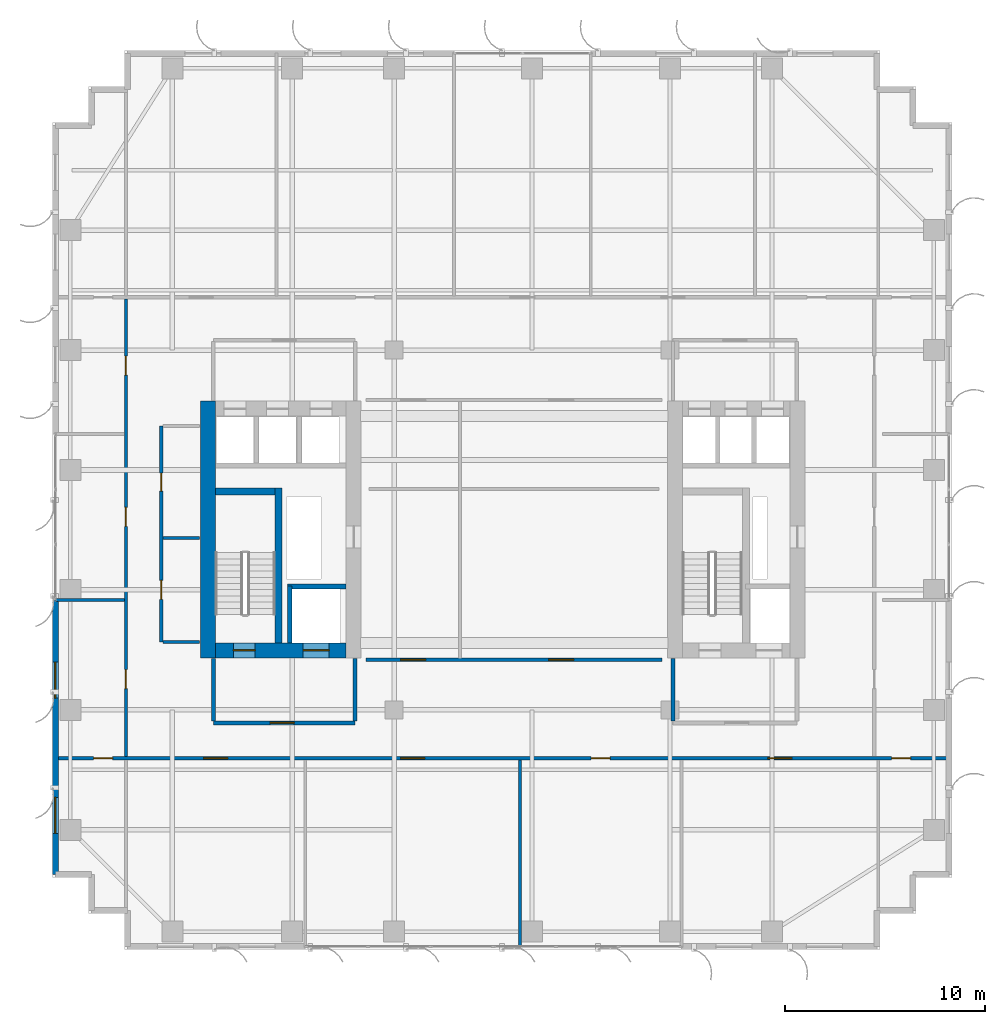
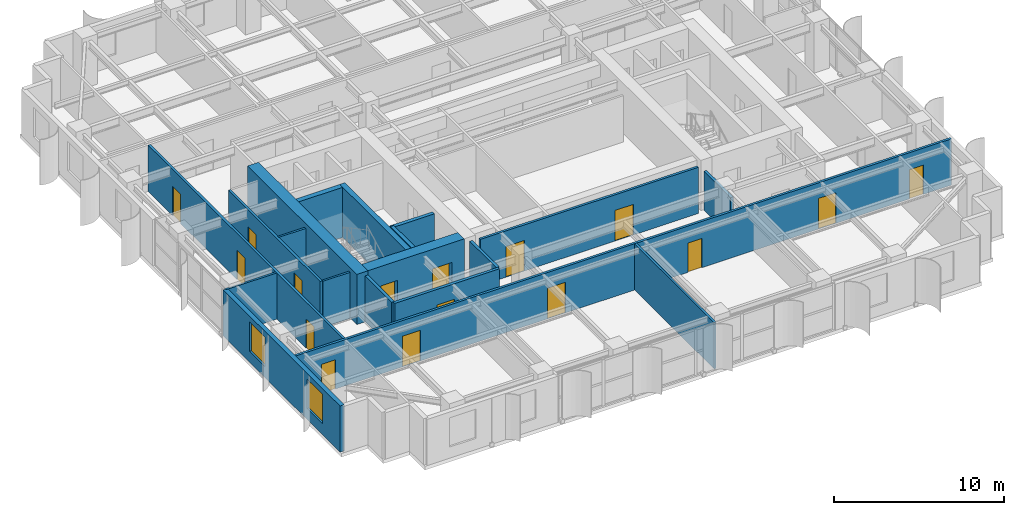
# One storey, part 16 of 22: 19 walls, 16 doors, 2 windows, 18 openings.
"""IFC4 building model written with IfcOpenShell, lengths in metres."""

from ifc_helpers import new_model, si_unit, direction, frame, frame_2d, origin, place, context, subcontext, project, spatial, rectangle, extrude, source, transform, mapped, material, layer, layer_set, type_object, element, fill, save


model = new_model("IFC4")

# Units and contexts
model_context = context("Model", 3, precision=1e-05, world=origin(), true_north=direction((0.0, 1.0)))
body_context = subcontext(model_context, "Body", "Model", "MODEL_VIEW")
ifc_project = project(units=[si_unit("LENGTHUNIT", "METRE"), si_unit("AREAUNIT", "SQUARE_METRE"), si_unit("VOLUMEUNIT", "CUBIC_METRE"), si_unit("PLANEANGLEUNIT", "RADIAN"), si_unit("MASSUNIT", "GRAM", prefix="KILO")], contexts=[model_context])

# Site, building, storey
site_placement = place(None, origin())
site = spatial("IfcSite", under=ifc_project, at=site_placement, CompositionType="ELEMENT")
building_placement = place(site_placement, origin())
building = spatial("IfcBuilding", under=site, at=building_placement, Name="Khoralis Quay Care Tower", CompositionType="ELEMENT")
storey_placement = place(building_placement, frame((0.0, 0.0, 141.300048828125)))
storey = spatial("IfcBuildingStorey", under=building, at=storey_placement, Name="L37", CompositionType="ELEMENT", Elevation=141.300048828125)

# Wall, opening, door
ifc_material_1 = material(Name="Gypsum plasterboard on acoustic metal stud")
ifc_layer_1 = layer(ifc_material_1, 0.199951171875)
ifc_layer_set_1 = layer_set([ifc_layer_1], Name="Gypsum plasterboard on acoustic metal stud")
wall_type_1 = type_object("IfcWallType", Name="WL-COMP-200", PredefinedType="PARTITIONING", material=ifc_layer_set_1)
wall_1_placement = place(storey_placement, frame((8.050048828125, 11.35009765625, 0.0), z_axis=(0.0, 0.0, 1.0), x_axis=(1.0, 0.0, 0.0)))
wall_1 = element("IfcWall", 1, at=wall_1_placement, inside=storey, type_object=wall_type_1, Name="L37 West Firefighting Lobby South Wall", PredefinedType="PARTITIONING", context=body_context, shape_type="SweptSolid", body=[
    extrude(rectangle(XDim=7.099853515625, YDim=0.199951171875, at=frame_2d((3.5498046875, 0.0))), origin(), (0.0, 0.0, 1.0), 3.320068359375),
])
opening_1_placement = place(wall_1_placement, frame((2.846435546875, 0.0, 0.0)))
opening_1 = element("IfcOpeningElement", 2, at=opening_1_placement, cuts=wall_1, Name="Opening FD1", PredefinedType="OPENING", context=body_context, shape_type="SweptSolid", body=[
    extrude(rectangle(XDim=1.199951171875, YDim=2.199951171875, at=frame_2d((0.60009765625, 1.10009765625))), frame((0.0, 0.10986328125, 0.0), z_axis=(0.0, -1.0, 0.0), x_axis=(1.0, 0.0, 0.0)), (0.0, 0.0, 1.0), 0.219970703125),
])
ifc_material_2 = material(Name="Fire-rated painted steel", Category="steel")
door_type_1 = type_object("IfcDoorType", Name="DR-FFL-1200X2200", OperationType="NOTDEFINED", PredefinedType="DOOR", material=ifc_material_2)
shared_shape_1 = source(origin(), body_context, "Body", "SweptSolid", [
    extrude(rectangle(XDim=1.199951171875, YDim=2.199951171875, at=frame_2d((0.60009765625, 1.10009765625))), frame((0.0, 0.02490234375, 0.0), z_axis=(0.0, -1.0, 0.0), x_axis=(1.0, 0.0, 0.0)), (0.0, 0.0, 1.0), 0.050048828125),
])
door_1_placement = place(opening_1_placement, origin())
door_1 = element("IfcDoor", 3, at=door_1_placement, inside=storey, type_object=door_type_1, Name="L37 West Firefighting Lobby Fire Door", OperationType="SINGLE_SWING_LEFT", OverallHeight=2.199951171875, OverallWidth=1.199951171875, PredefinedType="DOOR", context=body_context, shape_type="MappedRepresentation", body=[
    mapped(shared_shape_1, transform((0.0, 0.0, 0.0), scale=1.0)),
])
fill(opening_1, door_1)

# Walls
for number, where, z_axis, x_axis, name in (
    (4, (8.050048828125, 11.445068359375, 0.0), (0.0, 0.0, 1.0), (0.0, 1.0, 0.0), "L37 West Firefighting Lobby West Wall"),
    (5, (15.14990234375, 11.445068359375, 0.0), (0.0, 0.0, 1.0), (0.0, 1.0, 0.0), "L37 West Firefighting Lobby East Wall"),
):
    element("IfcWall", number, at=place(storey_placement, frame(where, z_axis=z_axis, x_axis=x_axis)), inside=storey, type_object=wall_type_1, Name=name, PredefinedType="PARTITIONING", context=body_context, shape_type="SweptSolid", body=[
        extrude(rectangle(XDim=3.135009765625, YDim=0.199951171875, at=frame_2d((1.5673828125, 0.0))), origin(), (0.0, 0.0, 1.0), 3.320068359375),
    ])
wall_2_placement = place(storey_placement, frame((31.050048828125, 11.445068359375, 0.0), z_axis=(0.0, 0.0, 1.0), x_axis=(0.0, 1.0, 0.0)))
element("IfcWall", 6, at=wall_2_placement, inside=storey, type_object=wall_type_1, Name="L37 East Firefighting Lobby West Wall", PredefinedType="PARTITIONING", context=body_context, shape_type="SweptSolid", body=[
    extrude(rectangle(XDim=3.135009765625, YDim=0.199951171875, at=frame_2d((1.5673828125, 0.0))), origin(), (0.0, 0.0, 1.0), 2.77587890625),
])
ifc_material_3 = material(Name="Concrete C80/95", Category="concrete")
ifc_layer_2 = layer(ifc_material_3, 0.75)
ifc_layer_set_2 = layer_set([ifc_layer_2], Name="Concrete C80/95")
wall_type_2 = type_object("IfcWallType", Name="WL-CORE-750", PredefinedType="SHEAR", material=ifc_layer_set_2)
wall_3_placement = place(storey_placement, frame((7.77490234375, 14.60009765625, 0.0), z_axis=(0.0, 0.0, 1.0), x_axis=(0.0, 1.0, 0.0)))
element("IfcWall", 7, at=wall_3_placement, inside=storey, type_object=wall_type_2, Name="L37 WCORE West Shear Wall", PredefinedType="SHEAR", context=body_context, shape_type="SweptSolid", body=[
    extrude(rectangle(XDim=12.849853515625, YDim=0.75, at=frame_2d((6.4248046875, 0.0))), origin(), (0.0, 0.0, 1.0), 3.599853515625),
])

# Wall, openings, doors
wall_4_placement = place(storey_placement, frame((8.14990234375, 14.97509765625, 0.0), z_axis=(0.0, 0.0, 1.0), x_axis=(1.0, 0.0, 0.0)))
wall_4 = element("IfcWall", 8, at=wall_4_placement, inside=storey, type_object=wall_type_2, Name="L37 WCORE South Shear Wall", PredefinedType="SHEAR", context=body_context, shape_type="SweptSolid", body=[
    extrude(rectangle(XDim=6.550048828125, YDim=0.75, at=frame_2d((3.27490234375, 0.0))), origin(), (0.0, 0.0, 1.0), 3.599853515625),
])
opening_2_placement = place(wall_4_placement, frame((0.89990234375, 0.0, 0.0)))
opening_2 = element("IfcOpeningElement", 9, at=opening_2_placement, cuts=wall_4, Name="Opening SD1", PredefinedType="OPENING", context=body_context, shape_type="SweptSolid", body=[
    extrude(rectangle(XDim=1.10009765625, YDim=2.199951171875, at=frame_2d((0.550048828125, 1.10009765625))), frame((0.0, 0.385009765625, 0.0), z_axis=(0.0, -1.0, 0.0), x_axis=(1.0, 0.0, 0.0)), (0.0, 0.0, 1.0), 0.77001953125),
])
opening_3_placement = place(wall_4_placement, frame((4.39990234375, 0.0, 0.0)))
opening_3 = element("IfcOpeningElement", 10, at=opening_3_placement, cuts=wall_4, Name="Opening LD2", PredefinedType="OPENING", context=body_context, shape_type="SweptSolid", body=[
    extrude(rectangle(XDim=1.300048828125, YDim=2.199951171875, at=frame_2d((0.64990234375, 1.10009765625))), frame((0.0, 0.385009765625, 0.0), z_axis=(0.0, -1.0, 0.0), x_axis=(1.0, 0.0, 0.0)), (0.0, 0.0, 1.0), 0.77001953125),
])
door_type_2 = type_object("IfcDoorType", Name="DR-STAIR-1100X2200", OperationType="NOTDEFINED", PredefinedType="DOOR", material=ifc_material_2)
shared_shape_2 = source(origin(), body_context, "Body", "SweptSolid", [
    extrude(rectangle(XDim=1.10009765625, YDim=2.199951171875, at=frame_2d((0.550048828125, 1.10009765625))), frame((0.0, 0.02490234375, 0.0), z_axis=(0.0, -1.0, 0.0), x_axis=(1.0, 0.0, 0.0)), (0.0, 0.0, 1.0), 0.050048828125),
])
door_2_placement = place(opening_2_placement, origin())
door_2 = element("IfcDoor", 11, at=door_2_placement, inside=storey, type_object=door_type_2, Name="L37 Stair ST-T1 Fire Door", OperationType="SINGLE_SWING_LEFT", OverallHeight=2.199951171875, OverallWidth=1.10009765625, PredefinedType="DOOR", context=body_context, shape_type="MappedRepresentation", body=[
    mapped(shared_shape_2, transform((0.0, 0.0, 0.0), scale=1.0)),
])
fill(opening_2, door_2)
ifc_material_4 = material(Name="Brushed stainless steel", Category="steel")
door_type_3 = type_object("IfcDoorType", Name="DR-LIFT-1300X2200", OperationType="SLIDING_TO_RIGHT", PredefinedType="DOOR", material=ifc_material_4)
shared_shape_3 = source(origin(), body_context, "Body", "SweptSolid", [
    extrude(rectangle(XDim=1.300048828125, YDim=2.199951171875, at=frame_2d((0.64990234375, 1.10009765625))), frame((0.0, 0.02490234375, 0.0), z_axis=(0.0, -1.0, 0.0), x_axis=(1.0, 0.0, 0.0)), (0.0, 0.0, 1.0), 0.050048828125),
])
door_3_placement = place(opening_3_placement, origin())
door_3 = element("IfcDoor", 12, at=door_3_placement, inside=storey, type_object=door_type_3, Name="L37 Firefighting Lift FFL-1 Landing Door", OperationType="SLIDING_TO_RIGHT", OverallHeight=2.199951171875, OverallWidth=1.300048828125, PredefinedType="DOOR", context=body_context, shape_type="MappedRepresentation", body=[
    mapped(shared_shape_3, transform((0.0, 0.0, 0.0), scale=1.0)),
])
fill(opening_3, door_3)

ifc_layer_3 = layer(ifc_material_1, 0.1650390625)
ifc_layer_set_3 = layer_set([ifc_layer_3], Name="Gypsum plasterboard on acoustic metal stud")
wall_type_3 = type_object("IfcWallType", Name="WL-CORR-165", PredefinedType="PARTITIONING", material=ifc_layer_set_3)
wall_5_placement = place(storey_placement, frame((5.449951171875, 15.39990234375, 0.0), z_axis=(0.0, 0.0, 1.0), x_axis=(0.0, 1.0, 0.0)))
wall_5 = element("IfcWall", 13, at=wall_5_placement, inside=storey, type_object=wall_type_3, Name="L37 West Core Service Flank Wall", PredefinedType="PARTITIONING", context=body_context, shape_type="SweptSolid", body=[
    extrude(rectangle(XDim=10.800048828125, YDim=0.1650390625, at=frame_2d((5.39990234375, 0.0))), origin(), (0.0, 0.0, 1.0), 3.320068359375),
])
opening_4_placement = place(wall_5_placement, frame((2.125, 0.0, 0.0)))
opening_4 = element("IfcOpeningElement", 14, at=opening_4_placement, cuts=wall_5, Name="Opening ID1", PredefinedType="OPENING", context=body_context, shape_type="SweptSolid", body=[
    extrude(rectangle(XDim=0.949951171875, YDim=2.10009765625, at=frame_2d((0.47509765625, 1.050048828125))), frame((0.0, 0.092529296875, 0.0), z_axis=(0.0, -1.0, 0.0), x_axis=(1.0, 0.0, 0.0)), (0.0, 0.0, 1.0), 0.18505859375),
])
opening_5_placement = place(wall_5_placement, frame((7.550048828125, 0.0, 0.0)))
opening_5 = element("IfcOpeningElement", 15, at=opening_5_placement, cuts=wall_5, Name="Opening WD1", PredefinedType="OPENING", context=body_context, shape_type="SweptSolid", body=[
    extrude(rectangle(XDim=0.89990234375, YDim=2.10009765625, at=frame_2d((0.449951171875, 1.050048828125))), frame((0.0, 0.092529296875, 0.0), z_axis=(0.0, -1.0, 0.0), x_axis=(1.0, 0.0, 0.0)), (0.0, 0.0, 1.0), 0.18505859375),
])
ifc_material_5 = material(Name="Acoustic hardwood timber", Category="wood")
door_type_4 = type_object("IfcDoorType", Name="DR-BATH-900X2100", OperationType="NOTDEFINED", PredefinedType="DOOR", material=ifc_material_5)
shared_shape_4 = source(origin(), body_context, "Body", "SweptSolid", [
    extrude(rectangle(XDim=0.89990234375, YDim=2.10009765625, at=frame_2d((0.449951171875, 1.050048828125))), frame((0.0, 0.02490234375, 0.0), z_axis=(0.0, -1.0, 0.0), x_axis=(1.0, 0.0, 0.0)), (0.0, 0.0, 1.0), 0.050048828125),
])
door_4_placement = place(opening_5_placement, frame((0.89990234375, 0.0, 0.0), z_axis=(0.0, 0.0, 1.0), x_axis=(-1.0, 0.0, 0.0)))
door_4 = element("IfcDoor", 16, at=door_4_placement, inside=storey, type_object=door_type_4, Name="L37 Public Accessible WC Door", OperationType="SINGLE_SWING_LEFT", OverallHeight=2.10009765625, OverallWidth=0.89990234375, PredefinedType="DOOR", context=body_context, shape_type="MappedRepresentation", body=[
    mapped(shared_shape_4, transform((0.0, 0.0, 0.0), scale=1.0)),
])
fill(opening_5, door_4)
door_type_5 = type_object("IfcDoorType", Name="DR-ROOM-950X2100", OperationType="NOTDEFINED", PredefinedType="DOOR", material=ifc_material_5)
shared_shape_5 = source(origin(), body_context, "Body", "SweptSolid", [
    extrude(rectangle(XDim=0.949951171875, YDim=2.10009765625, at=frame_2d((0.47509765625, 1.050048828125))), frame((0.0, 0.02490234375, 0.0), z_axis=(0.0, -1.0, 0.0), x_axis=(1.0, 0.0, 0.0)), (0.0, 0.0, 1.0), 0.050048828125),
])
door_5_placement = place(opening_4_placement, frame((0.949951171875, 0.0, 0.0), z_axis=(0.0, 0.0, 1.0), x_axis=(-1.0, 0.0, 0.0)))
door_5 = element("IfcDoor", 17, at=door_5_placement, inside=storey, type_object=door_type_5, Name="L37 Housekeeping Linen Store Door", OperationType="SINGLE_SWING_RIGHT", OverallHeight=2.10009765625, OverallWidth=0.949951171875, PredefinedType="DOOR", context=body_context, shape_type="MappedRepresentation", body=[
    mapped(shared_shape_5, transform((0.0, 0.0, 0.0), scale=1.0)),
])
fill(opening_4, door_5)

wall_6_placement = place(storey_placement, frame((0.14501953125, 9.580078125, 0.0), z_axis=(0.0, 0.0, 1.0), x_axis=(1.0, 0.0, 0.0)))
wall_6 = element("IfcWall", 18, at=wall_6_placement, inside=storey, type_object=wall_type_3, Name="L37 South Main Corridor Wall", PredefinedType="PARTITIONING", context=body_context, shape_type="SweptSolid", body=[
    extrude(rectangle(XDim=44.7099609375, YDim=0.1650390625, at=frame_2d((22.35498046875, 0.0))), origin(), (0.0, 0.0, 1.0), 3.320068359375),
])
opening_6_placement = place(wall_6_placement, frame((7.419921875, 0.0, 0.0)))
opening_6 = element("IfcOpeningElement", 19, at=opening_6_placement, cuts=wall_6, Name="Opening FD1", PredefinedType="OPENING", context=body_context, shape_type="SweptSolid", body=[
    extrude(rectangle(XDim=1.199951171875, YDim=2.199951171875, at=frame_2d((0.60009765625, 1.10009765625))), frame((0.0, 0.092529296875, 0.0), z_axis=(0.0, -1.0, 0.0), x_axis=(1.0, 0.0, 0.0)), (0.0, 0.0, 1.0), 0.18505859375),
])
opening_7_placement = place(wall_6_placement, frame((17.27490234375, 0.0, 0.0)))
opening_7 = element("IfcOpeningElement", 20, at=opening_7_placement, cuts=wall_6, Name="Opening FD1", PredefinedType="OPENING", context=body_context, shape_type="SweptSolid", body=[
    extrude(rectangle(XDim=1.199951171875, YDim=2.199951171875, at=frame_2d((0.60009765625, 1.10009765625))), frame((0.0, 0.092529296875, 0.0), z_axis=(0.0, -1.0, 0.0), x_axis=(1.0, 0.0, 0.0)), (0.0, 0.0, 1.0), 0.18505859375),
])
opening_8_placement = place(wall_6_placement, frame((26.81005859375, 0.0, 0.0)))
opening_8 = element("IfcOpeningElement", 21, at=opening_8_placement, cuts=wall_6, Name="Opening ID1", PredefinedType="OPENING", context=body_context, shape_type="SweptSolid", body=[
    extrude(rectangle(XDim=0.949951171875, YDim=2.10009765625, at=frame_2d((0.47509765625, 1.050048828125))), frame((0.0, 0.092529296875, 0.0), z_axis=(0.0, -1.0, 0.0), x_axis=(1.0, 0.0, 0.0)), (0.0, 0.0, 1.0), 0.18505859375),
])
opening_9_placement = place(wall_6_placement, frame((35.64990234375, 0.0, 0.0)))
opening_9 = element("IfcOpeningElement", 22, at=opening_9_placement, cuts=wall_6, Name="Opening FD1", PredefinedType="OPENING", context=body_context, shape_type="SweptSolid", body=[
    extrude(rectangle(XDim=1.199951171875, YDim=2.199951171875, at=frame_2d((0.60009765625, 1.10009765625))), frame((0.0, 0.092529296875, 0.0), z_axis=(0.0, -1.0, 0.0), x_axis=(1.0, 0.0, 0.0)), (0.0, 0.0, 1.0), 0.18505859375),
])
opening_10_placement = place(wall_6_placement, frame((1.919921875, 0.0, 0.0)))
opening_10 = element("IfcOpeningElement", 23, at=opening_10_placement, cuts=wall_6, Name="Opening ID1", PredefinedType="OPENING", context=body_context, shape_type="SweptSolid", body=[
    extrude(rectangle(XDim=0.949951171875, YDim=2.10009765625, at=frame_2d((0.47509765625, 1.050048828125))), frame((0.0, 0.092529296875, 0.0), z_axis=(0.0, -1.0, 0.0), x_axis=(1.0, 0.0, 0.0)), (0.0, 0.0, 1.0), 0.18505859375),
])
opening_11_placement = place(wall_6_placement, frame((41.840087890625, 0.0, 0.0)))
opening_11 = element("IfcOpeningElement", 24, at=opening_11_placement, cuts=wall_6, Name="Opening ID1", PredefinedType="OPENING", context=body_context, shape_type="SweptSolid", body=[
    extrude(rectangle(XDim=0.949951171875, YDim=2.10009765625, at=frame_2d((0.47509765625, 1.050048828125))), frame((0.0, 0.092529296875, 0.0), z_axis=(0.0, -1.0, 0.0), x_axis=(1.0, 0.0, 0.0)), (0.0, 0.0, 1.0), 0.18505859375),
])
door_6_placement = place(opening_6_placement, frame((1.199951171875, 0.0, 0.0), z_axis=(0.0, 0.0, 1.0), x_axis=(-1.0, 0.0, 0.0)))
door_6 = element("IfcDoor", 25, at=door_6_placement, inside=storey, type_object=door_type_1, Name="L37 Senior Wellness Pharmacy Shop Door", OperationType="DOUBLE_DOOR_SINGLE_SWING", OverallHeight=2.199951171875, OverallWidth=1.199951171875, PredefinedType="DOOR", context=body_context, shape_type="MappedRepresentation", body=[
    mapped(shared_shape_1, transform((0.0, 0.0, 0.0), scale=1.0)),
])
fill(opening_6, door_6)
door_7_placement = place(opening_7_placement, frame((1.199951171875, 0.0, 0.0), z_axis=(0.0, 0.0, 1.0), x_axis=(-1.0, 0.0, 0.0)))
door_7 = element("IfcDoor", 26, at=door_7_placement, inside=storey, type_object=door_type_1, Name="L37 Senior Wellness Pharmacy Shop Door", OperationType="DOUBLE_DOOR_SINGLE_SWING", OverallHeight=2.199951171875, OverallWidth=1.199951171875, PredefinedType="DOOR", context=body_context, shape_type="MappedRepresentation", body=[
    mapped(shared_shape_1, transform((0.0, 0.0, 0.0), scale=1.0)),
])
fill(opening_7, door_7)
door_8_placement = place(opening_9_placement, frame((1.199951171875, 0.0, 0.0), z_axis=(0.0, 0.0, 1.0), x_axis=(-1.0, 0.0, 0.0)))
door_8 = element("IfcDoor", 27, at=door_8_placement, inside=storey, type_object=door_type_1, Name="L37 Resident Communal Day Lounge Door", OperationType="DOUBLE_DOOR_SINGLE_SWING", OverallHeight=2.199951171875, OverallWidth=1.199951171875, PredefinedType="DOOR", context=body_context, shape_type="MappedRepresentation", body=[
    mapped(shared_shape_1, transform((0.0, 0.0, 0.0), scale=1.0)),
])
fill(opening_9, door_8)
door_9_placement = place(opening_8_placement, frame((0.949951171875, 0.0, 0.0), z_axis=(0.0, 0.0, 1.0), x_axis=(-1.0, 0.0, 0.0)))
door_9 = element("IfcDoor", 28, at=door_9_placement, inside=storey, type_object=door_type_5, Name="L37 Family Case Conference Room Door", OperationType="SINGLE_SWING_RIGHT", OverallHeight=2.10009765625, OverallWidth=0.949951171875, PredefinedType="DOOR", context=body_context, shape_type="MappedRepresentation", body=[
    mapped(shared_shape_5, transform((0.0, 0.0, 0.0), scale=1.0)),
])
fill(opening_8, door_9)
door_10_placement = place(opening_10_placement, frame((0.949951171875, 0.0, 0.0), z_axis=(0.0, 0.0, 1.0), x_axis=(-1.0, 0.0, 0.0)))
door_10 = element("IfcDoor", 29, at=door_10_placement, inside=storey, type_object=door_type_5, Name="L37 SW Corner Door", OperationType="SINGLE_SWING_LEFT", OverallHeight=2.10009765625, OverallWidth=0.949951171875, PredefinedType="DOOR", context=body_context, shape_type="MappedRepresentation", body=[
    mapped(shared_shape_5, transform((0.0, 0.0, 0.0), scale=1.0)),
])
fill(opening_10, door_10)
door_11_placement = place(opening_11_placement, frame((0.949951171875, 0.0, 0.0), z_axis=(0.0, 0.0, 1.0), x_axis=(-1.0, 0.0, 0.0)))
door_11 = element("IfcDoor", 30, at=door_11_placement, inside=storey, type_object=door_type_5, Name="L37 SE Corner Door", OperationType="SINGLE_SWING_RIGHT", OverallHeight=2.10009765625, OverallWidth=0.949951171875, PredefinedType="DOOR", context=body_context, shape_type="MappedRepresentation", body=[
    mapped(shared_shape_5, transform((0.0, 0.0, 0.0), scale=1.0)),
])
fill(opening_11, door_11)

wall_7_placement = place(storey_placement, frame((3.679931640625, 9.657470703125, 0.0), z_axis=(0.0, 0.0, 1.0), x_axis=(0.0, 1.0, 0.0)))
wall_7 = element("IfcWall", 31, at=wall_7_placement, inside=storey, type_object=wall_type_3, Name="L37 West Loop Corridor Wall", PredefinedType="PARTITIONING", context=body_context, shape_type="SweptSolid", body=[
    extrude(rectangle(XDim=22.905029296875, YDim=0.1650390625, at=frame_2d((11.45263671875, 0.0))), origin(), (0.0, 0.0, 1.0), 3.320068359375),
])
opening_12_placement = place(wall_7_placement, frame((3.407470703125, 0.0, 0.0)))
opening_12 = element("IfcOpeningElement", 32, at=opening_12_placement, cuts=wall_7, Name="Opening ID1", PredefinedType="OPENING", context=body_context, shape_type="SweptSolid", body=[
    extrude(rectangle(XDim=0.949951171875, YDim=2.10009765625, at=frame_2d((0.47509765625, 1.050048828125))), frame((0.0, 0.092529296875, 0.0), z_axis=(0.0, -1.0, 0.0), x_axis=(1.0, 0.0, 0.0)), (0.0, 0.0, 1.0), 0.18505859375),
])
opening_13_placement = place(wall_7_placement, frame((11.517578125, 0.0, 0.0)))
opening_13 = element("IfcOpeningElement", 33, at=opening_13_placement, cuts=wall_7, Name="Opening ID1", PredefinedType="OPENING", context=body_context, shape_type="SweptSolid", body=[
    extrude(rectangle(XDim=0.949951171875, YDim=2.10009765625, at=frame_2d((0.47509765625, 1.050048828125))), frame((0.0, 0.092529296875, 0.0), z_axis=(0.0, -1.0, 0.0), x_axis=(1.0, 0.0, 0.0)), (0.0, 0.0, 1.0), 0.18505859375),
])
opening_14_placement = place(wall_7_placement, frame((19.08740234375, 0.0, 0.0)))
opening_14 = element("IfcOpeningElement", 34, at=opening_14_placement, cuts=wall_7, Name="Opening ID1", PredefinedType="OPENING", context=body_context, shape_type="SweptSolid", body=[
    extrude(rectangle(XDim=0.949951171875, YDim=2.10009765625, at=frame_2d((0.47509765625, 1.050048828125))), frame((0.0, 0.092529296875, 0.0), z_axis=(0.0, -1.0, 0.0), x_axis=(1.0, 0.0, 0.0)), (0.0, 0.0, 1.0), 0.18505859375),
])
door_12_placement = place(opening_12_placement, origin())
door_12 = element("IfcDoor", 35, at=door_12_placement, inside=storey, type_object=door_type_5, Name="L37 Therapy Consultation Room Door", OperationType="SINGLE_SWING_LEFT", OverallHeight=2.10009765625, OverallWidth=0.949951171875, PredefinedType="DOOR", context=body_context, shape_type="MappedRepresentation", body=[
    mapped(shared_shape_5, transform((0.0, 0.0, 0.0), scale=1.0)),
])
fill(opening_12, door_12)
door_13_placement = place(opening_13_placement, origin())
door_13 = element("IfcDoor", 36, at=door_13_placement, inside=storey, type_object=door_type_5, Name="L37 Assisted Activity Lounge Door", OperationType="SINGLE_SWING_RIGHT", OverallHeight=2.10009765625, OverallWidth=0.949951171875, PredefinedType="DOOR", context=body_context, shape_type="MappedRepresentation", body=[
    mapped(shared_shape_5, transform((0.0, 0.0, 0.0), scale=1.0)),
])
fill(opening_13, door_13)
door_14_placement = place(opening_14_placement, origin())
door_14 = element("IfcDoor", 37, at=door_14_placement, inside=storey, type_object=door_type_5, Name="L37 Nurse Charting Office Door", OperationType="SINGLE_SWING_LEFT", OverallHeight=2.10009765625, OverallWidth=0.949951171875, PredefinedType="DOOR", context=body_context, shape_type="MappedRepresentation", body=[
    mapped(shared_shape_5, transform((0.0, 0.0, 0.0), scale=1.0)),
])
fill(opening_14, door_14)

wall_8_placement = place(storey_placement, frame((15.699951171875, 14.5, 0.0), z_axis=(0.0, 0.0, 1.0), x_axis=(1.0, 0.0, 0.0)))
wall_8 = element("IfcWall", 38, at=wall_8_placement, inside=storey, type_object=wall_type_3, Name="L37 Central Clinical South Wall", PredefinedType="PARTITIONING", context=body_context, shape_type="SweptSolid", body=[
    extrude(rectangle(XDim=14.800048828125, YDim=0.1650390625, at=frame_2d((7.39990234375, 0.0))), origin(), (0.0, 0.0, 1.0), 3.320068359375),
])
opening_15_placement = place(wall_8_placement, frame((1.72509765625, 0.0, 0.0)))
opening_15 = element("IfcOpeningElement", 39, at=opening_15_placement, cuts=wall_8, Name="Opening CD1", PredefinedType="OPENING", context=body_context, shape_type="SweptSolid", body=[
    extrude(rectangle(XDim=1.25, YDim=2.199951171875, at=frame_2d((0.625, 1.10009765625))), frame((0.0, 0.092529296875, 0.0), z_axis=(0.0, -1.0, 0.0), x_axis=(1.0, 0.0, 0.0)), (0.0, 0.0, 1.0), 0.18505859375),
])
opening_16_placement = place(wall_8_placement, frame((9.125, 0.0, 0.0)))
opening_16 = element("IfcOpeningElement", 40, at=opening_16_placement, cuts=wall_8, Name="Opening CD1", PredefinedType="OPENING", context=body_context, shape_type="SweptSolid", body=[
    extrude(rectangle(XDim=1.25, YDim=2.199951171875, at=frame_2d((0.625, 1.10009765625))), frame((0.0, 0.092529296875, 0.0), z_axis=(0.0, -1.0, 0.0), x_axis=(1.0, 0.0, 0.0)), (0.0, 0.0, 1.0), 0.18505859375),
])
door_type_6 = type_object("IfcDoorType", Name="DR-CARE-1250X2200", OperationType="NOTDEFINED", PredefinedType="DOOR", material=ifc_material_5)
shared_shape_6 = source(origin(), body_context, "Body", "SweptSolid", [
    extrude(rectangle(XDim=1.25, YDim=2.199951171875, at=frame_2d((0.625, 1.10009765625))), frame((0.0, 0.02490234375, 0.0), z_axis=(0.0, -1.0, 0.0), x_axis=(1.0, 0.0, 0.0)), (0.0, 0.0, 1.0), 0.050048828125),
])
door_15_placement = place(opening_15_placement, origin())
door_15 = element("IfcDoor", 41, at=door_15_placement, inside=storey, type_object=door_type_6, Name="L37 Nurse Station Door", OperationType="SINGLE_SWING_LEFT", OverallHeight=2.199951171875, OverallWidth=1.25, PredefinedType="DOOR", context=body_context, shape_type="MappedRepresentation", body=[
    mapped(shared_shape_6, transform((0.0, 0.0, 0.0), scale=1.0)),
])
fill(opening_15, door_15)
door_16_placement = place(opening_16_placement, origin())
door_16 = element("IfcDoor", 42, at=door_16_placement, inside=storey, type_object=door_type_6, Name="L37 Treatment Clinic Door", OperationType="SINGLE_SWING_RIGHT", OverallHeight=2.199951171875, OverallWidth=1.25, PredefinedType="DOOR", context=body_context, shape_type="MappedRepresentation", body=[
    mapped(shared_shape_6, transform((0.0, 0.0, 0.0), scale=1.0)),
])
fill(opening_16, door_16)

# Wall, openings, windows
ifc_material_6 = material(Name="Precast concrete C45/55", Category="concrete")
ifc_layer_4 = layer(ifc_material_6, 0.300048828125)
ifc_layer_set_4 = layer_set([ifc_layer_4], Name="Precast concrete C45/55")
wall_type_4 = type_object("IfcWallType", Name="WL-EXT-REF-300", PredefinedType="SOLIDWALL", material=ifc_layer_set_4)
wall_9_placement = place(storey_placement, frame((0.14990234375, 17.5, 0.0), z_axis=(0.0, 0.0, 1.0), x_axis=(0.0, -1.0, 0.0)))
wall_9 = element("IfcWall", 43, at=wall_9_placement, inside=storey, type_object=wall_type_4, Name="L37 External Facade Wall WL-EXT-L37-P1-E15B", PredefinedType="SOLIDWALL", context=body_context, shape_type="SweptSolid", body=[
    extrude(rectangle(XDim=13.75, YDim=0.300048828125, at=frame_2d((6.875, 0.0))), origin(), (0.0, 0.0, 1.0), 3.320068359375),
])
opening_17_placement = place(wall_9_placement, frame((3.110107421875, 0.0, 0.800048828125)))
opening_17 = element("IfcOpeningElement", 44, at=opening_17_placement, cuts=wall_9, Name="Opening W2", PredefinedType="OPENING", context=body_context, shape_type="SweptSolid", body=[
    extrude(rectangle(XDim=1.800048828125, YDim=2.10009765625, at=frame_2d((0.89990234375, 1.050048828125))), frame((0.0, 0.16015625, 0.0), z_axis=(0.0, -1.0, 0.0), x_axis=(1.0, 0.0, 0.0)), (0.0, 0.0, 1.0), 0.320068359375),
])
opening_18_placement = place(wall_9_placement, frame((9.885009765625, 0.0, 0.800048828125)))
opening_18 = element("IfcOpeningElement", 45, at=opening_18_placement, cuts=wall_9, Name="Opening W2", PredefinedType="OPENING", context=body_context, shape_type="SweptSolid", body=[
    extrude(rectangle(XDim=1.800048828125, YDim=2.10009765625, at=frame_2d((0.89990234375, 1.050048828125))), frame((0.0, 0.16015625, 0.0), z_axis=(0.0, -1.0, 0.0), x_axis=(1.0, 0.0, 0.0)), (0.0, 0.0, 1.0), 0.320068359375),
])
ifc_material_7 = material(Name="Low-E solar-control double glazing", Category="glass")
window_type = type_object("IfcWindowType", Name="WN-POD-1800X2100", PartitioningType="SINGLE_PANEL", PredefinedType="WINDOW", material=ifc_material_7)
shared_shape_7 = source(origin(), body_context, "Body", "SweptSolid", [
    extrude(rectangle(XDim=1.800048828125, YDim=2.10009765625, at=frame_2d((0.89990234375, 1.050048828125))), frame((0.0, 0.030029296875, 0.0), z_axis=(0.0, -1.0, 0.0), x_axis=(1.0, 0.0, 0.0)), (0.0, 0.0, 1.0), 0.06005859375),
])
window_1_placement = place(opening_17_placement, origin())
window_1 = element("IfcWindow", 46, at=window_1_placement, inside=storey, type_object=window_type, Name="WN-L37-P1-E15B Facade Window 01", OverallHeight=2.10009765625, OverallWidth=1.800048828125, PartitioningType="SINGLE_PANEL", PredefinedType="WINDOW", context=body_context, shape_type="MappedRepresentation", body=[
    mapped(shared_shape_7, transform((0.0, 0.0, 0.0), scale=1.0)),
])
fill(opening_17, window_1)
window_2_placement = place(opening_18_placement, origin())
window_2 = element("IfcWindow", 47, at=window_2_placement, inside=storey, type_object=window_type, Name="WN-L37-P1-E15B Facade Window 02", OverallHeight=2.10009765625, OverallWidth=1.800048828125, PartitioningType="SINGLE_PANEL", PredefinedType="WINDOW", context=body_context, shape_type="MappedRepresentation", body=[
    mapped(shared_shape_7, transform((0.0, 0.0, 0.0), scale=1.0)),
])
fill(opening_18, window_2)

# Walls
ifc_material_8 = material(Name="Moisture-resistant gypsum and ceramic tile")
ifc_layer_5 = layer(ifc_material_8, 0.280029296875)
ifc_layer_set_5 = layer_set([ifc_layer_5], Name="Moisture-resistant gypsum and ceramic tile")
wall_type_5 = type_object("IfcWallType", Name="WL-PLUMB-280", PredefinedType="PLUMBINGWALL", material=ifc_layer_set_5)
wall_10_placement = place(storey_placement, frame((5.527587890625, 20.60009765625, 0.0), z_axis=(0.0, 0.0, 1.0), x_axis=(1.0, 0.0, 0.0)))
element("IfcWall", 48, at=wall_10_placement, inside=storey, type_object=wall_type_5, Name="L37 West Flank Divider 1", PredefinedType="PLUMBINGWALL", context=body_context, shape_type="SweptSolid", body=[
    extrude(rectangle(XDim=1.83251953125, YDim=0.139892578125, at=frame_2d((0.916259765625, 0.0))), origin(), (0.0, 0.0, 1.0), 3.320068359375),
])
ifc_material_9 = material(Name="Concrete C40/50", Category="concrete")
ifc_layer_6 = layer(ifc_material_9, 0.35009765625)
ifc_layer_set_6 = layer_set([ifc_layer_6], Name="Concrete C40/50")
wall_type_6 = type_object("IfcWallType", Name="WL-SC-CORE-350", PredefinedType="SHEAR", material=ifc_layer_set_6)
wall_11_placement = place(storey_placement, frame((11.324951171875, 15.35009765625, 0.0), z_axis=(0.0, 0.0, 1.0), x_axis=(0.0, 1.0, 0.0)))
element("IfcWall", 49, at=wall_11_placement, inside=storey, type_object=wall_type_6, Name="L37 Stair ST-T1 Shear Baffle Wall East", PredefinedType="SHEAR", context=body_context, shape_type="SweptSolid", body=[
    extrude(rectangle(XDim=7.75, YDim=0.35009765625, at=frame_2d((3.875, 0.0))), origin(), (0.0, 0.0, 1.0), 3.599853515625),
])
wall_12_placement = place(storey_placement, frame((8.14990234375, 22.925048828125, 0.0), z_axis=(0.0, 0.0, 1.0), x_axis=(1.0, 0.0, 0.0)))
element("IfcWall", 50, at=wall_12_placement, inside=storey, type_object=wall_type_6, Name="L37 Stair ST-T1 Shear Baffle Wall North", PredefinedType="SHEAR", context=body_context, shape_type="SweptSolid", body=[
    extrude(rectangle(XDim=3.0, YDim=0.35009765625, at=frame_2d((1.5, 0.0))), origin(), (0.0, 0.0, 1.0), 3.599853515625),
])
ifc_layer_7 = layer(ifc_material_1, 0.239990234375)
ifc_layer_set_7 = layer_set([ifc_layer_7], Name="Gypsum plasterboard on acoustic metal stud")
wall_type_7 = type_object("IfcWallType", Name="WL-SHAFT-240", PredefinedType="PARTITIONING", material=ifc_layer_set_7)
wall_13_placement = place(storey_placement, frame((11.8798828125, 15.35009765625, 0.0), z_axis=(0.0, 0.0, 1.0), x_axis=(0.0, 1.0, 0.0)))
element("IfcWall", 51, at=wall_13_placement, inside=storey, type_object=wall_type_7, Name="L37 FFL-1 Shaft Wall West", PredefinedType="PARTITIONING", context=body_context, shape_type="SweptSolid", body=[
    extrude(rectangle(XDim=2.849853515625, YDim=0.239990234375, at=frame_2d((1.4248046875, 0.0))), origin(), (0.0, 0.0, 1.0), 3.320068359375),
])
wall_14_placement = place(storey_placement, frame((11.760009765625, 18.169921875, 0.0), z_axis=(0.0, 0.0, 1.0), x_axis=(1.0, 0.0, 0.0)))
element("IfcWall", 52, at=wall_14_placement, inside=storey, type_object=wall_type_7, Name="L37 FFL-1 Shaft Wall North", PredefinedType="PARTITIONING", context=body_context, shape_type="SweptSolid", body=[
    extrude(rectangle(XDim=2.919921875, YDim=0.239990234375, at=frame_2d((1.4599609375, 0.0))), origin(), (0.0, 0.0, 1.0), 3.320068359375),
])
ifc_layer_8 = layer(ifc_material_1, 0.139892578125)
ifc_layer_set_8 = layer_set([ifc_layer_8], Name="Gypsum plasterboard on acoustic metal stud")
wall_type_8 = type_object("IfcWallType", Name="WL-UNIT-140", PredefinedType="PARTITIONING", material=ifc_layer_set_8)
wall_15_placement = place(storey_placement, frame((5.527587890625, 15.39990234375, 0.0), z_axis=(0.0, 0.0, 1.0), x_axis=(1.0, 0.0, 0.0)))
element("IfcWall", 53, at=wall_15_placement, inside=storey, type_object=wall_type_8, Name="L37 West Flank South Cap", PredefinedType="PARTITIONING", context=body_context, shape_type="SweptSolid", body=[
    extrude(rectangle(XDim=1.83251953125, YDim=0.139892578125, at=frame_2d((0.916259765625, 0.0))), origin(), (0.0, 0.0, 1.0), 3.320068359375),
])
wall_16_placement = place(storey_placement, frame((0.14501953125, 17.5, 0.0), z_axis=(0.0, 0.0, 1.0), x_axis=(1.0, 0.0, 0.0)))
element("IfcWall", 54, at=wall_16_placement, inside=storey, type_object=wall_type_8, Name="L37 WW Divider 1", PredefinedType="PARTITIONING", context=body_context, shape_type="SweptSolid", body=[
    extrude(rectangle(XDim=3.45751953125, YDim=0.139892578125, at=frame_2d((1.728759765625, 0.0))), origin(), (0.0, 0.0, 1.0), 3.320068359375),
])
wall_17_placement = place(storey_placement, frame((23.389892578125, 0.14501953125, 0.0), z_axis=(0.0, 0.0, 1.0), x_axis=(0.0, 1.0, 0.0)))
element("IfcWall", 55, at=wall_17_placement, inside=storey, type_object=wall_type_8, Name="L37 SB Demising Wall 2", PredefinedType="PARTITIONING", context=body_context, shape_type="SweptSolid", body=[
    extrude(rectangle(XDim=9.357421875, YDim=0.139892578125, at=frame_2d((4.6787109375, 0.0))), origin(), (0.0, 0.0, 1.0), 3.320068359375),
])

save(model, "model.ifc")
